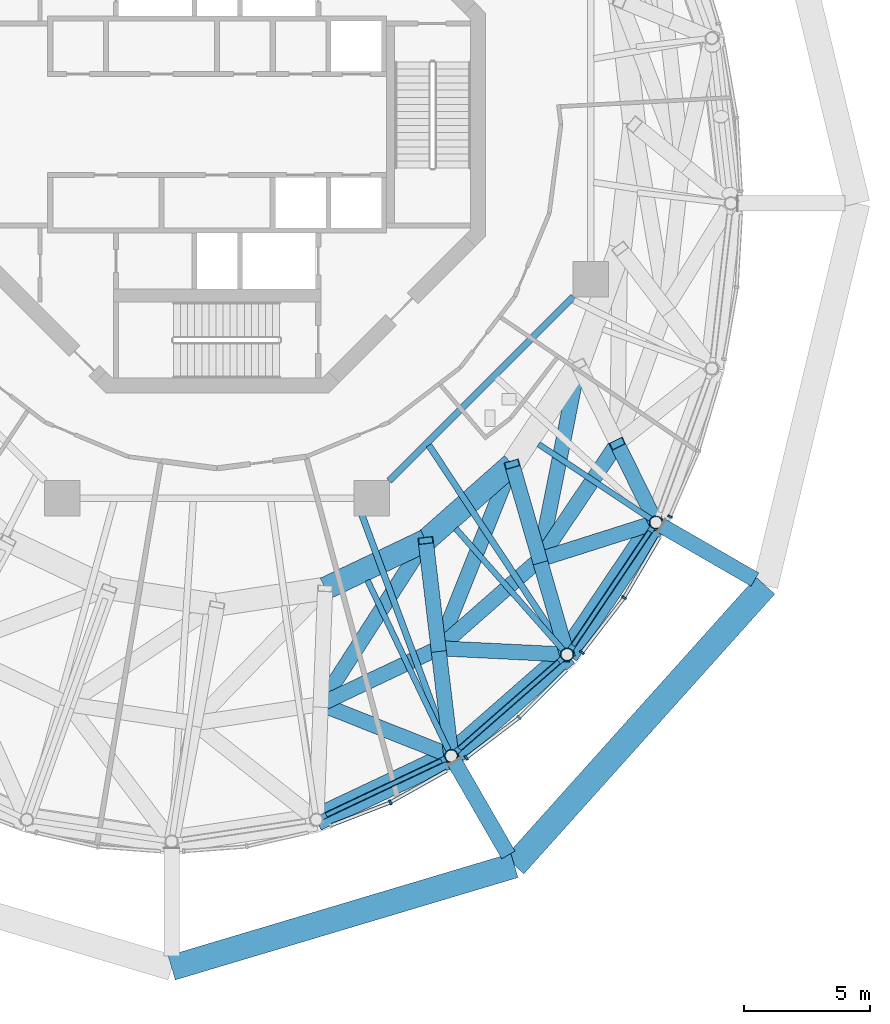
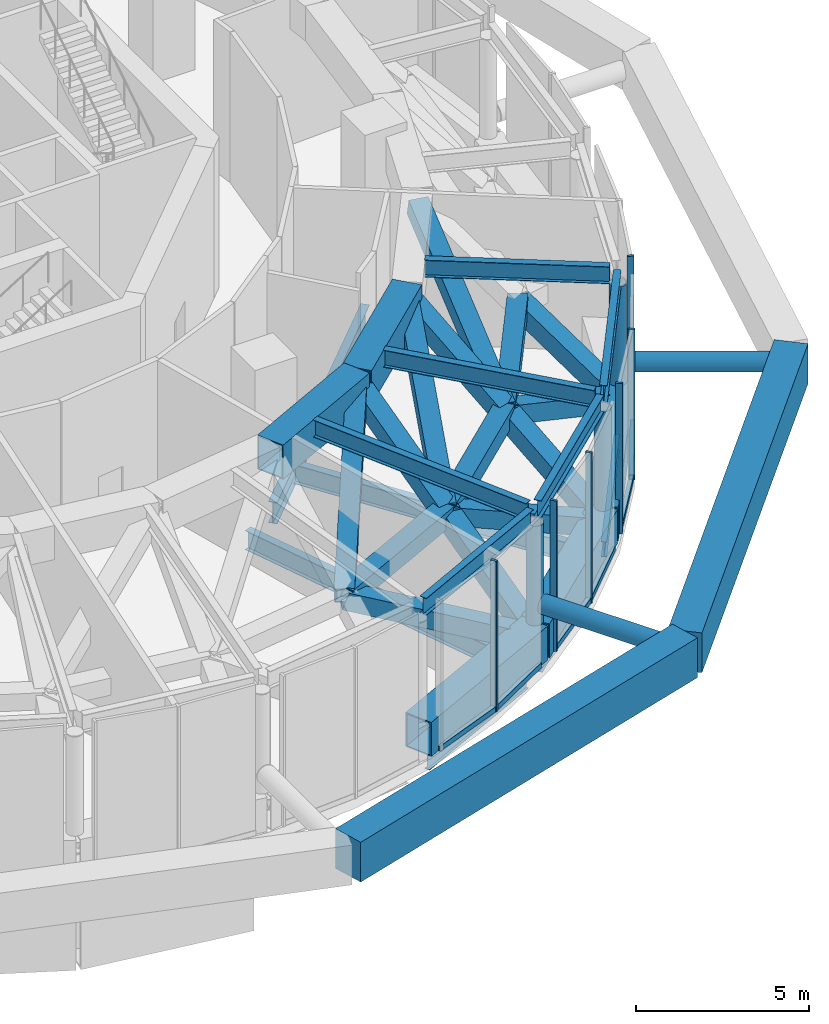
# One storey, part 5 of 22: 31 beams, 19 members, 7 elements without a shape of their own.
"""IFC4 building model written with IfcOpenShell, lengths in metres."""

from ifc_helpers import new_model, si_unit, direction, frame, origin, origin_2d, place, context, subcontext, project, spatial, rectangle, hollow_rectangle, hollow_circle, i_section, extrude, material, layer, layer_set, material_profile, profile_set, type_object, element, aggregate, save


model = new_model("IFC4")

# Units and contexts
model_context = context("Model", 3, precision=1e-05, world=origin(), true_north=direction((0.0, 1.0)))
body_context = subcontext(model_context, "Body", "Model", "MODEL_VIEW")
ifc_project = project(units=[si_unit("LENGTHUNIT", "METRE"), si_unit("AREAUNIT", "SQUARE_METRE"), si_unit("VOLUMEUNIT", "CUBIC_METRE"), si_unit("PLANEANGLEUNIT", "RADIAN"), si_unit("MASSUNIT", "GRAM", prefix="KILO")], contexts=[model_context])

# Site, building, storey
site_placement = place(None, origin())
site = spatial("IfcSite", under=ifc_project, at=site_placement, CompositionType="ELEMENT")
building_placement = place(site_placement, origin())
building = spatial("IfcBuilding", under=site, at=building_placement, Name="Nagisa Residences", CompositionType="ELEMENT")
storey_placement = place(building_placement, frame((0.0, 0.0, 310.300048828125)))
storey = spatial("IfcBuildingStorey", under=building, at=storey_placement, Name="L77", CompositionType="ELEMENT", Elevation=310.300048828125)

# Beams
ifc_material_1 = material(Name="Steel ASTM A572 Gr 50", Category="steel")
ifc_material_profile_1 = material_profile(ifc_material_1, hollow_rectangle(XDim=0.60009765625, YDim=0.60009765625, WallThickness=0.034912109375, at=origin_2d()), Name="BX 600x600x35")
ifc_profile_set_1 = profile_set([ifc_material_profile_1], Name="Steel ASTM A572 Gr 50")
beam_type_1 = type_object("IfcBeamType", Name="Belt chord 6 BX 600x600x35", PredefinedType="BEAM", material=ifc_profile_set_1)
beam_1_placement = place(storey_placement, frame((4.097900390625, -22.925048828125, 2.64990234375), z_axis=(0.90345410407, 0.428684828096, 0.0), x_axis=(-0.428684828096, 0.90345410407, 0.0)))
element("IfcBeam", 1, at=beam_1_placement, inside=storey, type_object=beam_type_1, Name="beam:L77:bt6m20", PredefinedType="BEAM", context=body_context, shape_type="SweptSolid", body=[
    extrude(hollow_rectangle(XDim=0.60009765625, YDim=0.60009765625, WallThickness=0.034912109375, at=origin_2d()), origin(), (0.0, 0.0, 1.0), 5.154541015625),
])
beam_2_placement = place(storey_placement, frame((8.7548828125, -20.71533203125, 2.64990234375), z_axis=(0.751083596494, 0.660207112259, 0.0), x_axis=(-0.660207112259, 0.751083596494, 0.0)))
element("IfcBeam", 2, at=beam_2_placement, inside=storey, type_object=beam_type_1, Name="beam:L77:bt6m21", PredefinedType="BEAM", context=body_context, shape_type="SweptSolid", body=[
    extrude(hollow_rectangle(XDim=0.60009765625, YDim=0.60009765625, WallThickness=0.034912109375, at=origin_2d()), origin(), (0.0, 0.0, 1.0), 5.32470703125),
])
beam_3_placement = place(storey_placement, frame((12.754150390625, -17.199951171875, 2.64990234375), z_axis=(0.556558433262, 0.830808467918, 0.0), x_axis=(-0.830808467918, 0.556558433262, 0.0)))
element("IfcBeam", 3, at=beam_3_placement, inside=storey, type_object=beam_type_1, Name="beam:L77:bt6m22", PredefinedType="BEAM", context=body_context, shape_type="SweptSolid", body=[
    extrude(hollow_rectangle(XDim=0.60009765625, YDim=0.60009765625, WallThickness=0.034912109375, at=origin_2d()), origin(), (0.0, 0.0, 1.0), 5.513916015625),
])
ifc_material_2 = material(Name="Steel ASTM A572 Gr 50", Category="steel")
ifc_material_profile_2 = material_profile(ifc_material_2, hollow_rectangle(XDim=0.89990234375, YDim=1.199951171875, WallThickness=0.0400390625, at=origin_2d()), Name="BX 900x1200x40")
ifc_profile_set_2 = profile_set([ifc_material_profile_2], Name="Steel ASTM A572 Gr 50")
beam_type_2 = type_object("IfcBeamType", Name="Belt chord 6 BX 900x1200x40", PredefinedType="BEAM", material=ifc_profile_set_2)
beam_4_placement = place(storey_placement, frame((3.925048828125, -27.49755859375, 0.599853515625), z_axis=(0.904104817547, 0.427310752134, 0.0), x_axis=(-0.427310752134, 0.904104817547, 0.0)))
element("IfcBeam", 4, at=beam_4_placement, inside=storey, type_object=beam_type_2, Name="beam:L77:bt6b20", PredefinedType="BEAM", context=body_context, shape_type="SweptSolid", body=[
    extrude(hollow_rectangle(XDim=0.89990234375, YDim=1.199951171875, WallThickness=0.0400390625, at=origin_2d()), origin(), (0.0, 0.0, 1.0), 5.90087890625),
])
beam_5_placement = place(storey_placement, frame((4.2705078125, -18.3525390625, 4.699951171875), z_axis=(0.902600371107, 0.430479465337, 0.0), x_axis=(-0.430479465337, 0.902600371107, 0.0)))
element("IfcBeam", 5, at=beam_5_placement, inside=storey, type_object=beam_type_2, Name="beam:L77:bt6t20", PredefinedType="BEAM", context=body_context, shape_type="SweptSolid", body=[
    extrude(hollow_rectangle(XDim=0.89990234375, YDim=1.199951171875, WallThickness=0.0400390625, at=origin_2d()), origin(), (0.0, 0.0, 1.0), 4.408935546875),
])
beam_6_placement = place(storey_placement, frame((9.260009765625, -24.97607421875, 0.599853515625), z_axis=(0.752385412669, 0.658723151865, 0.0), x_axis=(-0.658723151865, 0.752385412669, 0.0)))
element("IfcBeam", 6, at=beam_6_placement, inside=storey, type_object=beam_type_2, Name="beam:L77:bt6b21", PredefinedType="BEAM", context=body_context, shape_type="SweptSolid", body=[
    extrude(hollow_rectangle(XDim=0.89990234375, YDim=1.199951171875, WallThickness=0.0400390625, at=origin_2d()), origin(), (0.0, 0.0, 1.0), 6.089111328125),
])
beam_7_placement = place(storey_placement, frame((8.25, -16.45458984375, 4.699951171875), z_axis=(0.749367388162, 0.662154451438, 0.0), x_axis=(-0.662154451438, 0.749367388162, 0.0)))
element("IfcBeam", 7, at=beam_7_placement, inside=storey, type_object=beam_type_2, Name="beam:L77:bt6t21", PredefinedType="BEAM", context=body_context, shape_type="SweptSolid", body=[
    extrude(hollow_rectangle(XDim=0.89990234375, YDim=1.199951171875, WallThickness=0.0400390625, at=origin_2d()), origin(), (0.0, 0.0, 1.0), 4.56005859375),
])
beam_8_placement = place(storey_placement, frame((13.84130859375, -20.965087890625, 0.599853515625), z_axis=(0.558022898517, 0.829825550782, 0.0), x_axis=(-0.829825550782, 0.558022898517, 0.0)))
element("IfcBeam", 8, at=beam_8_placement, inside=storey, type_object=beam_type_2, Name="beam:L77:bt6b22", PredefinedType="BEAM", context=body_context, shape_type="SweptSolid", body=[
    extrude(hollow_rectangle(XDim=0.89990234375, YDim=1.199951171875, WallThickness=0.0400390625, at=origin_2d()), origin(), (0.0, 0.0, 1.0), 6.29931640625),
])
ifc_material_3 = material(Name="Steel ASTM A572 Gr 50", Category="steel")
ifc_material_profile_3 = material_profile(ifc_material_3, hollow_rectangle(XDim=0.60009765625, YDim=0.60009765625, WallThickness=0.034912109375, at=origin_2d()), Name="BX 600x600x35")
ifc_profile_set_3 = profile_set([ifc_material_profile_3], Name="Steel ASTM A572 Gr 50")
beam_type_3 = type_object("IfcBeamType", Name="Belt diagonal 6 BX 600x600x35", PredefinedType="BEAM", material=ifc_profile_set_3)
beam_9_placement = place(storey_placement, frame((9.260009765625, -24.97607421875, 0.599853515625), z_axis=(-0.871848850992, 0.346405703612, 0.346240768151), x_axis=(-0.36924510588, -0.929332046033, 0.0)))
element("IfcBeam", 9, at=beam_9_placement, inside=storey, type_object=beam_type_3, Name="beam:L77:bt6lb20", PredefinedType="BEAM", context=body_context, shape_type="SweptSolid", body=[
    extrude(hollow_rectangle(XDim=0.60009765625, YDim=0.60009765625, WallThickness=0.034912109375, at=origin_2d()), origin(), (0.0, 0.0, 1.0), 5.9208984375),
])
beam_10_placement = place(storey_placement, frame((4.097900390625, -22.925048828125, 2.64990234375), z_axis=(0.52183526155, 0.813206323095, 0.257649831907), x_axis=(-0.841620824215, 0.540068873615, 0.0)))
element("IfcBeam", 10, at=beam_10_placement, inside=storey, type_object=beam_type_3, Name="beam:L77:bt6ub20", PredefinedType="BEAM", context=body_context, shape_type="SweptSolid", body=[
    extrude(hollow_rectangle(XDim=0.60009765625, YDim=0.60009765625, WallThickness=0.034912109375, at=origin_2d()), origin(), (0.0, 0.0, 1.0), 7.956787109375),
])
beam_11_placement = place(storey_placement, frame((9.260009765625, -24.97607421875, 0.599853515625), z_axis=(-0.106226578116, 0.896020416279, 0.431118693301), x_axis=(-0.993045725919, -0.117729292169, 0.0)))
element("IfcBeam", 11, at=beam_11_placement, inside=storey, type_object=beam_type_3, Name="beam:L77:bt6la21", PredefinedType="BEAM", context=body_context, shape_type="SweptSolid", body=[
    extrude(hollow_rectangle(XDim=0.60009765625, YDim=0.60009765625, WallThickness=0.034912109375, at=origin_2d()), origin(), (0.0, 0.0, 1.0), 4.755126953125),
])
beam_12_placement = place(storey_placement, frame((13.84130859375, -20.965087890625, 0.599853515625), z_axis=(-0.926539854309, 0.045495357155, 0.373435497582), x_axis=(-0.049043341379, -0.998796651309, 0.0)))
element("IfcBeam", 12, at=beam_12_placement, inside=storey, type_object=beam_type_3, Name="beam:L77:bt6lb21", PredefinedType="BEAM", context=body_context, shape_type="SweptSolid", body=[
    extrude(hollow_rectangle(XDim=0.60009765625, YDim=0.60009765625, WallThickness=0.034912109375, at=origin_2d()), origin(), (0.0, 0.0, 1.0), 5.48974609375),
])
beam_13_placement = place(storey_placement, frame((8.7548828125, -20.71533203125, 2.64990234375), z_axis=(-0.106175815058, 0.896025301929, 0.431121044023), x_axis=(-0.99305237677, -0.117673178728, 0.0)))
element("IfcBeam", 13, at=beam_13_placement, inside=storey, type_object=beam_type_3, Name="beam:L77:bt6ua21", PredefinedType="BEAM", context=body_context, shape_type="SweptSolid", body=[
    extrude(hollow_rectangle(XDim=0.60009765625, YDim=0.60009765625, WallThickness=0.034912109375, at=origin_2d()), origin(), (0.0, 0.0, 1.0), 4.755126953125),
])
beam_14_placement = place(storey_placement, frame((8.7548828125, -20.71533203125, 2.64990234375), z_axis=(0.359339334012, 0.898273027098, 0.252944286001), x_axis=(-0.928465954056, 0.371417517302, 0.0)))
element("IfcBeam", 14, at=beam_14_placement, inside=storey, type_object=beam_type_3, Name="beam:L77:bt6ub21", PredefinedType="BEAM", context=body_context, shape_type="SweptSolid", body=[
    extrude(hollow_rectangle(XDim=0.60009765625, YDim=0.60009765625, WallThickness=0.034912109375, at=origin_2d()), origin(), (0.0, 0.0, 1.0), 8.104736328125),
])
beam_15_placement = place(storey_placement, frame((13.84130859375, -20.965087890625, 0.599853515625), z_axis=(-0.245809514859, 0.851307958264, 0.46352178223), x_axis=(-0.960751456109, -0.277410597462, 0.0)))
element("IfcBeam", 15, at=beam_15_placement, inside=storey, type_object=beam_type_3, Name="beam:L77:bt6la22", PredefinedType="BEAM", context=body_context, shape_type="SweptSolid", body=[
    extrude(hollow_rectangle(XDim=0.60009765625, YDim=0.60009765625, WallThickness=0.034912109375, at=origin_2d()), origin(), (0.0, 0.0, 1.0), 4.4228515625),
])
beam_16_placement = place(storey_placement, frame((17.3564453125, -15.73779296875, 0.599853515625), z_axis=(-0.877276744948, -0.278712557716, 0.390774644705), x_axis=(0.302788355764, -0.953057821758, 0.0)))
element("IfcBeam", 16, at=beam_16_placement, inside=storey, type_object=beam_type_3, Name="beam:L77:bt6lb22", PredefinedType="BEAM", context=body_context, shape_type="SweptSolid", body=[
    extrude(hollow_rectangle(XDim=0.60009765625, YDim=0.60009765625, WallThickness=0.034912109375, at=origin_2d()), origin(), (0.0, 0.0, 1.0), 5.24609375),
])
beam_17_placement = place(storey_placement, frame((12.754150390625, -17.199951171875, 2.64990234375), z_axis=(-0.245769197918, 0.851304312915, 0.463549855103), x_axis=(-0.96076326563, -0.277369694481, 0.0)))
element("IfcBeam", 17, at=beam_17_placement, inside=storey, type_object=beam_type_3, Name="beam:L77:bt6ua22", PredefinedType="BEAM", context=body_context, shape_type="SweptSolid", body=[
    extrude(hollow_rectangle(XDim=0.60009765625, YDim=0.60009765625, WallThickness=0.034912109375, at=origin_2d()), origin(), (0.0, 0.0, 1.0), 4.422607421875),
])
beam_18_placement = place(storey_placement, frame((12.754150390625, -17.199951171875, 2.64990234375), z_axis=(0.189181705976, 0.948887058648, 0.252633394574), x_axis=(-0.980698896421, 0.195524102245, 0.0)))
element("IfcBeam", 18, at=beam_18_placement, inside=storey, type_object=beam_type_3, Name="beam:L77:bt6ub22", PredefinedType="BEAM", context=body_context, shape_type="SweptSolid", body=[
    extrude(hollow_rectangle(XDim=0.60009765625, YDim=0.60009765625, WallThickness=0.034912109375, at=origin_2d()), origin(), (0.0, 0.0, 1.0), 8.11474609375),
])
beam_19_placement = place(storey_placement, frame((17.3564453125, -15.73779296875, 0.599853515625), z_axis=(-0.380031233609, 0.772950009449, 0.508059587424), x_axis=(-0.897399669629, -0.441218577295, 0.0)))
element("IfcBeam", 19, at=beam_19_placement, inside=storey, type_object=beam_type_3, Name="beam:L77:bt6la23", PredefinedType="BEAM", context=body_context, shape_type="SweptSolid", body=[
    extrude(hollow_rectangle(XDim=0.60009765625, YDim=0.60009765625, WallThickness=0.034912109375, at=origin_2d()), origin(), (0.0, 0.0, 1.0), 4.03515625),
])

# Curtain wall, member
ifc_material_4 = material(Name="Aluminium curtain wall system", Category="aluminium")
ifc_layer = layer(ifc_material_4, 0.159912109375)
ifc_layer_set = layer_set([ifc_layer], Name="CW2 CURTAIN WALL")
curtain_wall_type = type_object("IfcCurtainWallType", Name="CW2 CURTAIN WALL", PredefinedType="NOTDEFINED", material=ifc_layer_set)
curtain_wall_1_placement = place(storey_placement, origin())
curtain_wall_1 = element("IfcCurtainWall", 20, at=curtain_wall_1_placement, inside=storey, type_object=curtain_wall_type, Name="cw:CW2:L77:39", PredefinedType="NOTDEFINED")
ifc_material_5 = material(Name="Aluminium", Category="aluminium")
ifc_material_profile_4 = material_profile(ifc_material_5, rectangle(XDim=0.199951171875, YDim=0.080078125, at=origin_2d()), Name="CW2 MULLION 200x80")
ifc_profile_set_4 = profile_set([ifc_material_profile_4], Name="Aluminium")
member_type_1 = type_object("IfcMemberType", Name="CW2 MULLION 200x80", PredefinedType="MULLION", material=ifc_profile_set_4)
member_1_placement = place(storey_placement, frame((6.85205078125, -26.80908203125, 0.0), z_axis=(0.0, 0.0, 1.0), x_axis=(-0.489376918501, 0.872072377523, 0.0)))
member_1 = element("IfcMember", 21, at=member_1_placement, type_object=member_type_1, Name="CW2 mullion", PredefinedType="MULLION", context=body_context, shape_type="SweptSolid", body=[
    extrude(rectangle(XDim=0.199951171875, YDim=0.080078125, at=origin_2d()), origin(), (0.0, 0.0, 1.0), 5.300048828125),
])

curtain_wall_2_placement = place(storey_placement, origin())
curtain_wall_2 = element("IfcCurtainWall", 22, at=curtain_wall_2_placement, inside=storey, type_object=curtain_wall_type, Name="cw:CW2:L77:40", PredefinedType="NOTDEFINED")
member_2_placement = place(storey_placement, frame((9.8515625, -25.048828125, 0.0), z_axis=(0.0, 0.0, 1.0), x_axis=(-0.605255421737, 0.79603132756, 0.0)))
member_2 = element("IfcMember", 23, at=member_2_placement, type_object=member_type_1, Name="CW2 mullion", PredefinedType="MULLION", context=body_context, shape_type="SweptSolid", body=[
    extrude(rectangle(XDim=0.199951171875, YDim=0.080078125, at=origin_2d()), origin(), (0.0, 0.0, 1.0), 5.300048828125),
])

curtain_wall_3_placement = place(storey_placement, origin())
curtain_wall_3 = element("IfcCurtainWall", 24, at=curtain_wall_3_placement, inside=storey, type_object=curtain_wall_type, Name="cw:CW2:L77:41", PredefinedType="NOTDEFINED")
member_3_placement = place(storey_placement, frame((11.94189453125, -23.45361328125, 0.0), z_axis=(0.0, 0.0, 1.0), x_axis=(-0.706376885714, 0.707835924016, 0.0)))
member_3 = element("IfcMember", 25, at=member_3_placement, type_object=member_type_1, Name="CW2 mullion", PredefinedType="MULLION", context=body_context, shape_type="SweptSolid", body=[
    extrude(rectangle(XDim=0.199951171875, YDim=0.080078125, at=origin_2d()), origin(), (0.0, 0.0, 1.0), 5.300048828125),
])

curtain_wall_4_placement = place(storey_placement, origin())
curtain_wall_4 = element("IfcCurtainWall", 26, at=curtain_wall_4_placement, inside=storey, type_object=curtain_wall_type, Name="cw:CW2:L77:42", PredefinedType="NOTDEFINED")
member_4_placement = place(storey_placement, frame((14.430419921875, -20.881591796875, 0.0), z_axis=(0.0, 0.0, 1.0), x_axis=(-0.792070340816, 0.610429828235, 0.0)))
member_4 = element("IfcMember", 27, at=member_4_placement, type_object=member_type_1, Name="CW2 mullion", PredefinedType="MULLION", context=body_context, shape_type="SweptSolid", body=[
    extrude(rectangle(XDim=0.199951171875, YDim=0.080078125, at=origin_2d()), origin(), (0.0, 0.0, 1.0), 5.300048828125),
])

curtain_wall_5_placement = place(storey_placement, origin())
curtain_wall_5 = element("IfcCurtainWall", 28, at=curtain_wall_5_placement, inside=storey, type_object=curtain_wall_type, Name="cw:CW2:L77:43", PredefinedType="NOTDEFINED")
member_5_placement = place(storey_placement, frame((16.096923828125, -18.712158203125, 0.0), z_axis=(0.0, 0.0, 1.0), x_axis=(-0.862328898214, 0.506348567002, 0.0)))
member_5 = element("IfcMember", 29, at=member_5_placement, type_object=member_type_1, Name="CW2 mullion", PredefinedType="MULLION", context=body_context, shape_type="SweptSolid", body=[
    extrude(rectangle(XDim=0.199951171875, YDim=0.080078125, at=origin_2d()), origin(), (0.0, 0.0, 1.0), 5.300048828125),
])

curtain_wall_6_placement = place(storey_placement, origin())
curtain_wall_6 = element("IfcCurtainWall", 30, at=curtain_wall_6_placement, inside=storey, type_object=curtain_wall_type, Name="cw:CW2:L77:44", PredefinedType="NOTDEFINED")
member_6_placement = place(storey_placement, frame((17.910888671875, -15.50634765625, 0.0), z_axis=(0.0, 0.0, 1.0), x_axis=(-0.917543276295, 0.397635934147, 0.0)))
member_6 = element("IfcMember", 31, at=member_6_placement, type_object=member_type_1, Name="CW2 mullion", PredefinedType="MULLION", context=body_context, shape_type="SweptSolid", body=[
    extrude(rectangle(XDim=0.199951171875, YDim=0.080078125, at=origin_2d()), origin(), (0.0, 0.0, 1.0), 5.300048828125),
])
aggregate(curtain_wall_6, [member_6])

curtain_wall_7_placement = place(storey_placement, origin())
curtain_wall_7 = element("IfcCurtainWall", 32, at=curtain_wall_7_placement, inside=storey, type_object=curtain_wall_type, Name="cw:CW2:L77:38", PredefinedType="NOTDEFINED")
ifc_material_6 = material(Name="Aluminium", Category="aluminium")
ifc_material_profile_5 = material_profile(ifc_material_6, rectangle(XDim=0.139892578125, YDim=0.179931640625, at=origin_2d()), Name="CW2 TRANSOM 140x180")
ifc_profile_set_5 = profile_set([ifc_material_profile_5], Name="Aluminium")
member_type_2 = type_object("IfcMemberType", Name="CW2 TRANSOM 140x180", PredefinedType="USERDEFINED", material=ifc_profile_set_5)
member_7_placement = place(storey_placement, frame((4.4453125, -27.743896484375, 0.08984375), z_axis=(0.93282223778, 0.360336887792, 0.0), x_axis=(-0.360336887792, 0.93282223778, 0.0)))
member_7 = element("IfcMember", 33, at=member_7_placement, type_object=member_type_2, Name="CW2 transom", ObjectType="TRANSOM", PredefinedType="USERDEFINED", context=body_context, shape_type="SweptSolid", body=[
    extrude(rectangle(XDim=0.139892578125, YDim=0.179931640625, at=origin_2d()), origin(), (0.0, 0.0, 1.0), 2.5537109375),
])
aggregate(curtain_wall_7, [member_7])

# Member
member_8_placement = place(storey_placement, frame((6.817138671875, -26.82861328125, 0.08984375), z_axis=(0.872052877201, 0.489411666561, 0.0), x_axis=(-0.489411666561, 0.872052877201, 0.0)))
member_8 = element("IfcMember", 34, at=member_8_placement, type_object=member_type_2, Name="CW2 transom", ObjectType="TRANSOM", PredefinedType="USERDEFINED", context=body_context, shape_type="SweptSolid", body=[
    extrude(rectangle(XDim=0.139892578125, YDim=0.179931640625, at=origin_2d()), origin(), (0.0, 0.0, 1.0), 2.593017578125),
])

aggregate(curtain_wall_1, [member_1, member_8])

member_9_placement = place(storey_placement, frame((9.81982421875, -25.0732421875, 0.08984375), z_axis=(0.796010739377, 0.605282498339, 0.0), x_axis=(-0.605282498339, 0.796010739377, 0.0)))
member_9 = element("IfcMember", 35, at=member_9_placement, type_object=member_type_2, Name="CW2 transom", ObjectType="TRANSOM", PredefinedType="USERDEFINED", context=body_context, shape_type="SweptSolid", body=[
    extrude(rectangle(XDim=0.139892578125, YDim=0.179931640625, at=origin_2d()), origin(), (0.0, 0.0, 1.0), 2.640625),
])

aggregate(curtain_wall_2, [member_2, member_9])

member_10_placement = place(storey_placement, frame((11.91357421875, -23.48193359375, 0.08984375), z_axis=(0.707876975297, 0.706335747251, 0.0), x_axis=(-0.706335747251, 0.707876975297, 0.0)))
member_10 = element("IfcMember", 36, at=member_10_placement, type_object=member_type_2, Name="CW2 transom", ObjectType="TRANSOM", PredefinedType="USERDEFINED", context=body_context, shape_type="SweptSolid", body=[
    extrude(rectangle(XDim=0.139892578125, YDim=0.179931640625, at=origin_2d()), origin(), (0.0, 0.0, 1.0), 2.69287109375),
])

aggregate(curtain_wall_3, [member_3, member_10])

member_11_placement = place(storey_placement, frame((14.406005859375, -20.913330078125, 0.08984375), z_axis=(0.610432336622, 0.792068407656, 0.0), x_axis=(-0.792068407656, 0.610432336622, 0.0)))
member_11 = element("IfcMember", 37, at=member_11_placement, type_object=member_type_2, Name="CW2 transom", ObjectType="TRANSOM", PredefinedType="USERDEFINED", context=body_context, shape_type="SweptSolid", body=[
    extrude(rectangle(XDim=0.139892578125, YDim=0.179931640625, at=origin_2d()), origin(), (0.0, 0.0, 1.0), 2.74609375),
])

aggregate(curtain_wall_4, [member_4, member_11])

member_12_placement = place(storey_placement, frame((16.07666015625, -18.74658203125, 0.08984375), z_axis=(0.506371364425, 0.862315511452, 0.0), x_axis=(-0.862315511452, 0.506371364425, 0.0)))
member_12 = element("IfcMember", 38, at=member_12_placement, type_object=member_type_2, Name="CW2 transom", ObjectType="TRANSOM", PredefinedType="USERDEFINED", context=body_context, shape_type="SweptSolid", body=[
    extrude(rectangle(XDim=0.139892578125, YDim=0.179931640625, at=origin_2d()), origin(), (0.0, 0.0, 1.0), 2.79638671875),
])

aggregate(curtain_wall_5, [member_5, member_12])

# Members
ifc_material_7 = material(Name="Concrete C80", Category="concrete")
ifc_material_profile_6 = material_profile(ifc_material_7, rectangle(XDim=1.0, YDim=1.39990234375, at=origin_2d()), Name="C80 1000x1400")
ifc_profile_set_6 = profile_set([ifc_material_profile_6], Name="Concrete C80")
member_type_3 = type_object("IfcMemberType", Name="Cage ring 6 C80 1000x1400", PredefinedType="CHORD", material=ifc_profile_set_6)
member_13_placement = place(storey_placement, frame((-1.800048828125, -33.357666015625, 1.89990234375), z_axis=(0.958151380194, 0.286261999981, 0.0), x_axis=(-0.286261999981, 0.958151380194, 0.0)))
element("IfcMember", 39, at=member_13_placement, inside=storey, type_object=member_type_3, Name="beam:L77:cg6r110", PredefinedType="CHORD", context=body_context, shape_type="SweptSolid", body=[
    extrude(rectangle(XDim=1.0, YDim=1.39990234375, at=origin_2d()), origin(), (0.0, 0.0, 1.0), 14.15234375),
])
member_14_placement = place(storey_placement, frame((11.760009765625, -29.306396484375, 1.89990234375), z_axis=(0.66765456372, 0.744471210688, 0.0), x_axis=(-0.744471210688, 0.66765456372, 0.0)))
element("IfcMember", 40, at=member_14_placement, inside=storey, type_object=member_type_3, Name="beam:L77:cg6r111", PredefinedType="CHORD", context=body_context, shape_type="SweptSolid", body=[
    extrude(rectangle(XDim=1.0, YDim=1.39990234375, at=origin_2d()), origin(), (0.0, 0.0, 1.0), 14.86767578125),
])
ifc_material_8 = material(Name="Steel ASTM A572 Gr 65", Category="steel")
ifc_material_profile_7 = material_profile(ifc_material_8, hollow_circle(Radius=0.304931640625, WallThickness=0.02490234375, at=origin_2d()), Name="CHS 610x25")
ifc_profile_set_7 = profile_set([ifc_material_profile_7], Name="Steel ASTM A572 Gr 65")
member_type_4 = type_object("IfcMemberType", Name="Cage strut CHS 610x25", PredefinedType="STRUT", material=ifc_profile_set_7)
member_15_placement = place(storey_placement, frame((11.52001953125, -28.890625, 1.89990234375), z_axis=(-0.499996068715, 0.866027673501, 0.0), x_axis=(-0.866027673501, -0.499996068715, 0.0)))
element("IfcMember", 41, at=member_15_placement, inside=storey, type_object=member_type_4, Name="mem:L77:cg6tie11", PredefinedType="STRUT", context=body_context, shape_type="SweptSolid", body=[
    extrude(hollow_circle(Radius=0.304931640625, WallThickness=0.02490234375, at=origin_2d()), origin(), (0.0, 0.0, 1.0), 4.248046875),
])
member_16_placement = place(storey_placement, frame((21.27099609375, -17.997802734375, 1.89990234375), z_axis=(-0.866026642527, 0.499997854429, 0.0), x_axis=(-0.499997854429, -0.866026642527, 0.0)))
element("IfcMember", 42, at=member_16_placement, inside=storey, type_object=member_type_4, Name="mem:L77:cg6tie12", PredefinedType="STRUT", context=body_context, shape_type="SweptSolid", body=[
    extrude(hollow_circle(Radius=0.304931640625, WallThickness=0.02490234375, at=origin_2d()), origin(), (0.0, 0.0, 1.0), 4.24609375),
])

# Beams
ifc_material_9 = material(Name="Steel ASTM A572 Gr 50", Category="steel")
ifc_material_profile_8 = material_profile(ifc_material_9, i_section(OverallWidth=0.22802734375, OverallDepth=0.60302734375, WebThickness=0.010498046875, FlangeThickness=0.014892578125, at=origin_2d()), Name="W610x101")
ifc_profile_set_8 = profile_set([ifc_material_profile_8], Name="Steel ASTM A572 Gr 50")
beam_type_4 = type_object("IfcBeamType", Name="Garden edge beam W610x101", PredefinedType="BEAM", material=ifc_profile_set_8)
beam_20_placement = place(storey_placement, frame((4.13671875, -27.397705078125, 4.99853515625), z_axis=(0.904095311773, 0.427330863886, 0.0), x_axis=(-0.427330863886, 0.904095311773, 0.0)))
element("IfcBeam", 43, at=beam_20_placement, inside=storey, type_object=beam_type_4, Name="beam:L77:bt6ge20", PredefinedType="BEAM", context=body_context, shape_type="SweptSolid", body=[
    extrude(i_section(OverallWidth=0.22802734375, OverallDepth=0.60302734375, WebThickness=0.010498046875, FlangeThickness=0.014892578125, at=origin_2d()), origin(), (0.0, 0.0, 1.0), 5.4326171875),
])
beam_21_placement = place(storey_placement, frame((9.43603515625, -24.822021484375, 4.99853515625), z_axis=(0.752356025387, 0.658756716144, 0.0), x_axis=(-0.658756716144, 0.752356025387, 0.0)))
element("IfcBeam", 44, at=beam_21_placement, inside=storey, type_object=beam_type_4, Name="beam:L77:bt6ge21", PredefinedType="BEAM", context=body_context, shape_type="SweptSolid", body=[
    extrude(i_section(OverallWidth=0.22802734375, OverallDepth=0.60302734375, WebThickness=0.010498046875, FlangeThickness=0.014892578125, at=origin_2d()), origin(), (0.0, 0.0, 1.0), 5.62109375),
])
beam_22_placement = place(storey_placement, frame((13.9716796875, -20.77099609375, 4.99853515625), z_axis=(0.558028905093, 0.82982151158, 0.0), x_axis=(-0.82982151158, 0.558028905093, 0.0)))
element("IfcBeam", 45, at=beam_22_placement, inside=storey, type_object=beam_type_4, Name="beam:L77:bt6ge22", PredefinedType="BEAM", context=body_context, shape_type="SweptSolid", body=[
    extrude(i_section(OverallWidth=0.22802734375, OverallDepth=0.60302734375, WebThickness=0.010498046875, FlangeThickness=0.014892578125, at=origin_2d()), origin(), (0.0, 0.0, 1.0), 5.83154296875),
])

# Members
ifc_material_10 = material(Name="Steel ASTM A572 Gr 65", Category="steel")
ifc_material_profile_9 = material_profile(ifc_material_10, hollow_circle(Radius=0.25390625, WallThickness=0.02001953125, at=origin_2d()), Name="CHS 508x20")
ifc_profile_set_9 = profile_set([ifc_material_profile_9], Name="Steel ASTM A572 Gr 65")
member_type_5 = type_object("IfcMemberType", Name="Garden edge post CHS 508x20", PredefinedType="POST", material=ifc_profile_set_9)
for number, where, z_axis, x_axis, name in (
    (46, (9.260009765625, -24.97607421875, 1.199951171875), (0.0, 0.0, 1.0), (1.0, 0.0, 0.0), "mem:L77:gp621"),
    (47, (13.84130859375, -20.965087890625, 1.199951171875), (0.0, 0.0, 1.0), (1.0, 0.0, 0.0), "mem:L77:gp622"),
    (48, (17.3564453125, -15.73779296875, 1.199951171875), (0.0, 0.0, 1.0), (1.0, 0.0, 0.0), "mem:L77:gp623"),
):
    element("IfcMember", number, at=place(storey_placement, frame(where, z_axis=z_axis, x_axis=x_axis)), inside=storey, type_object=member_type_5, Name=name, PredefinedType="POST", context=body_context, shape_type="SweptSolid", body=[
        extrude(hollow_circle(Radius=0.25390625, WallThickness=0.02001953125, at=origin_2d()), origin(), (0.0, 0.0, 1.0), 3.4970703125),
    ])

# Beams
ifc_material_11 = material(Name="Steel ASTM A572 Gr 50", Category="steel")
ifc_material_profile_10 = material_profile(ifc_material_11, i_section(OverallWidth=0.22802734375, OverallDepth=0.60302734375, WebThickness=0.010498046875, FlangeThickness=0.014892578125, at=origin_2d()), Name="W610x101")
ifc_profile_set_10 = profile_set([ifc_material_profile_10], Name="Steel ASTM A572 Gr 50")
beam_type_5 = type_object("IfcBeamType", Name="Garden radial beam W610x101", PredefinedType="BEAM", material=ifc_profile_set_10)
beam_23_placement = place(storey_placement, frame((9.1591796875, -24.764892578125, 4.99853515625), z_axis=(-0.430516400818, 0.902582754448, 0.0), x_axis=(-0.902582754448, -0.430516400818, 0.0)))
element("IfcBeam", 49, at=beam_23_placement, inside=storey, type_object=beam_type_5, Name="beam:L77:bt6gr21", PredefinedType="BEAM", context=body_context, shape_type="SweptSolid", body=[
    extrude(i_section(OverallWidth=0.22802734375, OverallDepth=0.60302734375, WebThickness=0.010498046875, FlangeThickness=0.014892578125, at=origin_2d()), origin(), (0.0, 0.0, 1.0), 7.46240234375),
])
beam_24_placement = place(storey_placement, frame((13.686279296875, -20.789794921875, 4.99853515625), z_axis=(-0.662129745569, 0.749389217985, 0.0), x_axis=(-0.749389217985, -0.662129745569, 0.0)))
element("IfcBeam", 50, at=beam_24_placement, inside=storey, type_object=beam_type_5, Name="beam:L77:bt6gr22", PredefinedType="BEAM", context=body_context, shape_type="SweptSolid", body=[
    extrude(i_section(OverallWidth=0.22802734375, OverallDepth=0.60302734375, WebThickness=0.010498046875, FlangeThickness=0.014892578125, at=origin_2d()), origin(), (0.0, 0.0, 1.0), 6.418212890625),
])
beam_25_placement = place(storey_placement, frame((17.161865234375, -15.60791015625, 4.99853515625), z_axis=(-0.832183728151, 0.554499993328, 0.0), x_axis=(-0.554499993328, -0.832183728151, 0.0)))
element("IfcBeam", 51, at=beam_25_placement, inside=storey, type_object=beam_type_5, Name="beam:L77:bt6gr23", PredefinedType="BEAM", context=body_context, shape_type="SweptSolid", body=[
    extrude(i_section(OverallWidth=0.22802734375, OverallDepth=0.60302734375, WebThickness=0.010498046875, FlangeThickness=0.014892578125, at=origin_2d()), origin(), (0.0, 0.0, 1.0), 5.347412109375),
])
ifc_material_12 = material(Name="Steel ASTM A572 Gr 50", Category="steel")
ifc_material_profile_11 = material_profile(ifc_material_12, i_section(OverallWidth=0.264892578125, OverallDepth=0.7529296875, WebThickness=0.01318359375, FlangeThickness=0.01708984375, at=origin_2d()), Name="W760x147")
ifc_profile_set_11 = profile_set([ifc_material_profile_11], Name="Steel ASTM A572 Gr 50")
beam_type_6 = type_object("IfcBeamType", Name="Inner ring beam W760x147", PredefinedType="BEAM", material=ifc_profile_set_11)
beam_26_placement = place(storey_placement, frame((6.808837890625, -14.09619140625, -0.7265625), z_axis=(0.707106781187, 0.707106781187, 0.0), x_axis=(-0.707106781187, 0.707106781187, 0.0)))
element("IfcBeam", 52, at=beam_26_placement, inside=storey, type_object=beam_type_6, Name="beam:L77:ib7", PredefinedType="BEAM", context=body_context, shape_type="SweptSolid", body=[
    extrude(i_section(OverallWidth=0.264892578125, OverallDepth=0.7529296875, WebThickness=0.01318359375, FlangeThickness=0.01708984375, at=origin_2d()), origin(), (0.0, 0.0, 1.0), 10.305908203125),
])
ifc_material_13 = material(Name="Steel ASTM A572 Gr 50", Category="steel")
ifc_material_profile_12 = material_profile(ifc_material_13, i_section(OverallWidth=0.166015625, OverallDepth=0.534912109375, WebThickness=0.01025390625, FlangeThickness=0.0166015625, at=origin_2d()), Name="W530x85")
ifc_profile_set_12 = profile_set([ifc_material_profile_12], Name="Steel ASTM A572 Gr 50")
beam_type_7 = type_object("IfcBeamType", Name="Perimeter ring beam W530x85", PredefinedType="BEAM", material=ifc_profile_set_12)
beam_27_placement = place(storey_placement, frame((4.318115234375, -27.311767578125, -0.617431640625), z_axis=(0.904115893837, 0.427287316113, 0.0), x_axis=(-0.427287316113, 0.904115893837, 0.0)))
element("IfcBeam", 53, at=beam_27_placement, inside=storey, type_object=beam_type_7, Name="beam:L77:pb20", PredefinedType="BEAM", context=body_context, shape_type="SweptSolid", body=[
    extrude(i_section(OverallWidth=0.166015625, OverallDepth=0.534912109375, WebThickness=0.01025390625, FlangeThickness=0.0166015625, at=origin_2d()), origin(), (0.0, 0.0, 1.0), 5.031494140625),
])
beam_28_placement = place(storey_placement, frame((9.586669921875, -24.690185546875, -0.617431640625), z_axis=(0.752385480596, 0.658723074279, 0.0), x_axis=(-0.658723074279, 0.752385480596, 0.0)))
element("IfcBeam", 54, at=beam_28_placement, inside=storey, type_object=beam_type_7, Name="beam:L77:pb21", PredefinedType="BEAM", context=body_context, shape_type="SweptSolid", body=[
    extrude(i_section(OverallWidth=0.166015625, OverallDepth=0.534912109375, WebThickness=0.01025390625, FlangeThickness=0.0166015625, at=origin_2d()), origin(), (0.0, 0.0, 1.0), 5.220947265625),
])
beam_29_placement = place(storey_placement, frame((14.083251953125, -20.605224609375, -0.617431640625), z_axis=(0.558045612854, 0.829810275891, 0.0), x_axis=(-0.829810275891, 0.558045612854, 0.0)))
element("IfcBeam", 55, at=beam_29_placement, inside=storey, type_object=beam_type_7, Name="beam:L77:pb22", PredefinedType="BEAM", context=body_context, shape_type="SweptSolid", body=[
    extrude(i_section(OverallWidth=0.166015625, OverallDepth=0.534912109375, WebThickness=0.01025390625, FlangeThickness=0.0166015625, at=origin_2d()), origin(), (0.0, 0.0, 1.0), 5.432373046875),
])
ifc_material_14 = material(Name="Steel ASTM A572 Gr 50", Category="steel")
ifc_material_profile_13 = material_profile(ifc_material_14, i_section(OverallWidth=0.2529296875, OverallDepth=0.677978515625, WebThickness=0.01171875, FlangeThickness=0.016357421875, at=origin_2d()), Name="W690x125")
ifc_profile_set_13 = profile_set([ifc_material_profile_13], Name="Steel ASTM A572 Gr 50")
beam_type_8 = type_object("IfcBeamType", Name="Radial beam W690x125", PredefinedType="BEAM", material=ifc_profile_set_13)
beam_30_placement = place(storey_placement, frame((9.124267578125, -24.610107421875, -0.68896484375), z_axis=(-0.34762439984, 0.937633871314, 0.0), x_axis=(-0.937633871314, -0.34762439984, 0.0)))
element("IfcBeam", 56, at=beam_30_placement, inside=storey, type_object=beam_type_8, Name="beam:L77:rb21", PredefinedType="BEAM", context=body_context, shape_type="SweptSolid", body=[
    extrude(i_section(OverallWidth=0.2529296875, OverallDepth=0.677978515625, WebThickness=0.01171875, FlangeThickness=0.016357421875, at=origin_2d()), origin(), (0.0, 0.0, 1.0), 10.360595703125),
])
beam_31_placement = place(storey_placement, frame((13.623779296875, -20.6357421875, -0.68896484375), z_axis=(-0.550955773217, 0.834534442644, 0.0), x_axis=(-0.834534442644, -0.550955773217, 0.0)))
element("IfcBeam", 57, at=beam_31_placement, inside=storey, type_object=beam_type_8, Name="beam:L77:rb22", PredefinedType="BEAM", context=body_context, shape_type="SweptSolid", body=[
    extrude(i_section(OverallWidth=0.2529296875, OverallDepth=0.677978515625, WebThickness=0.01171875, FlangeThickness=0.016357421875, at=origin_2d()), origin(), (0.0, 0.0, 1.0), 9.523681640625),
])

save(model, "model.ifc")
